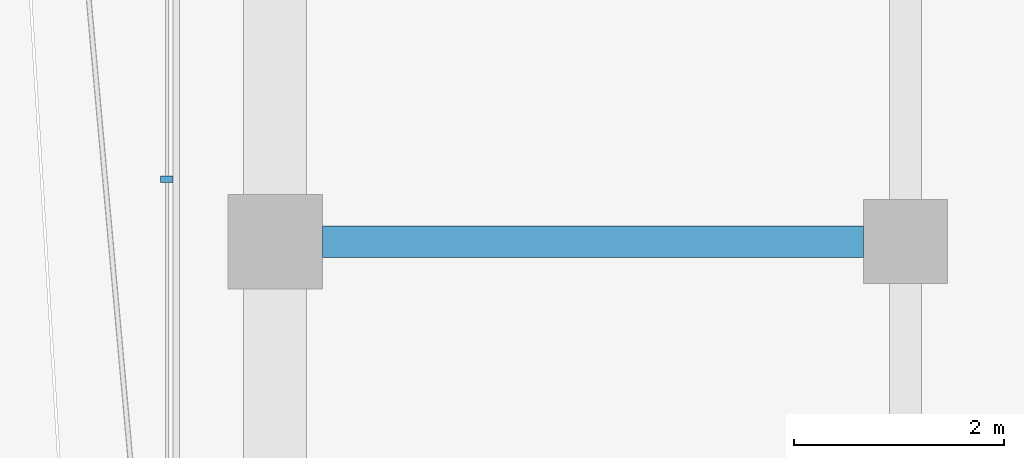
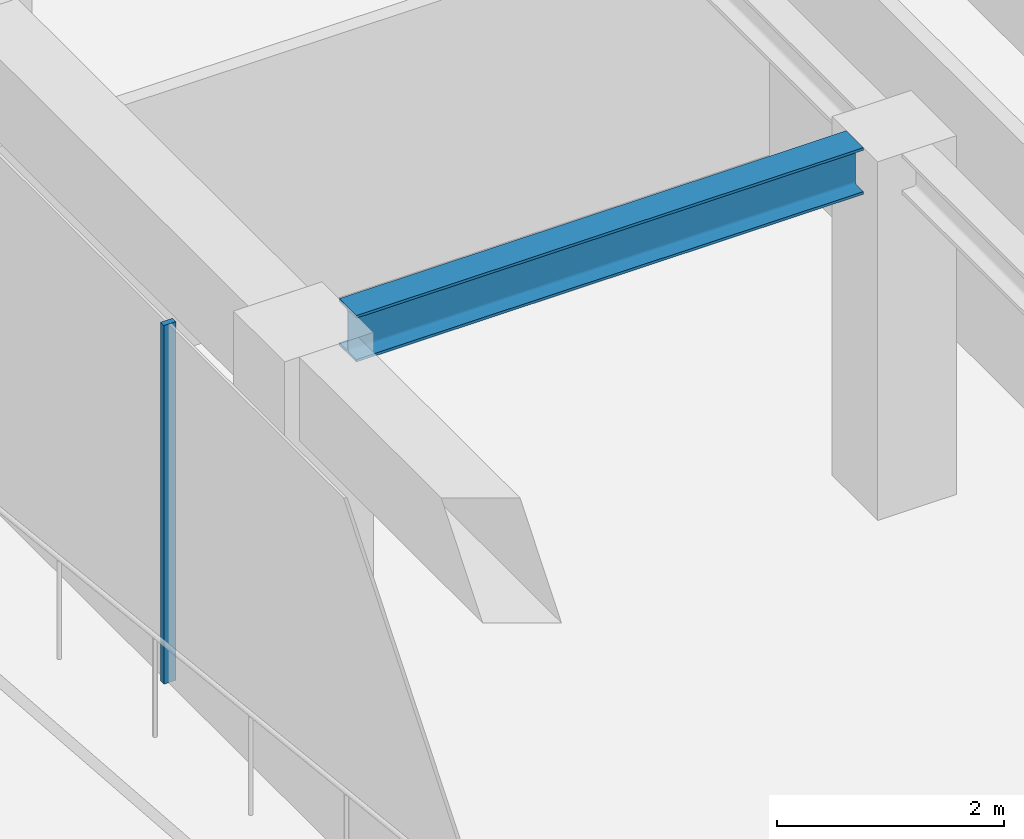
# One storey, part 12 of 23: 1 beam, 1 member, 1 element without a shape of its own.
"""IFC4 building model written with IfcOpenShell, lengths in metres."""

from ifc_helpers import new_model, si_unit, direction, frame, origin, origin_2d, place, context, subcontext, project, spatial, rectangle, i_section, extrude, material, layer, layer_set, material_profile, profile_set, type_object, element, aggregate, save


model = new_model("IFC4")

# Units and contexts
model_context = context("Model", 3, precision=1e-05, world=origin(), true_north=direction((0.0, 1.0)))
body_context = subcontext(model_context, "Body", "Model", "MODEL_VIEW")
ifc_project = project(units=[si_unit("LENGTHUNIT", "METRE"), si_unit("AREAUNIT", "SQUARE_METRE"), si_unit("VOLUMEUNIT", "CUBIC_METRE"), si_unit("PLANEANGLEUNIT", "RADIAN"), si_unit("MASSUNIT", "GRAM", prefix="KILO")], contexts=[model_context])

# Site, building, storey
site_placement = place(None, origin())
site = spatial("IfcSite", under=ifc_project, at=site_placement, CompositionType="ELEMENT")
building_placement = place(site_placement, origin())
building = spatial("IfcBuilding", under=site, at=building_placement, Name="Welwitschia Terrace Campus", CompositionType="ELEMENT")
storey_placement = place(building_placement, frame((0.0, 0.0, 96.199951171875)))
storey = spatial("IfcBuildingStorey", under=building, at=storey_placement, Name="L21", CompositionType="ELEMENT", Elevation=96.199951171875)

# Curtain wall, member
ifc_material_1 = material(Name="Bronze anodised aluminium", Category="aluminium")
ifc_layer = layer(ifc_material_1, 0.1201171875)
ifc_layer_set = layer_set([ifc_layer], Name="Bronze anodised aluminium")
curtain_wall_type = type_object("IfcCurtainWallType", Name="Curtain wall CW2 tower 6000", PredefinedType="NOTDEFINED", material=ifc_layer_set)
curtain_wall_placement = place(storey_placement, origin())
curtain_wall = element("IfcCurtainWall", 1, at=curtain_wall_placement, inside=storey, type_object=curtain_wall_type, Name="CW L21.10.0", PredefinedType="NOTDEFINED")
ifc_material_2 = material(Name="Bronze anodised aluminium", Category="aluminium")
ifc_material_profile_1 = material_profile(ifc_material_2, rectangle(XDim=0.1201171875, YDim=0.06005859375, at=origin_2d()))
ifc_profile_set_1 = profile_set([ifc_material_profile_1], Name="Bronze anodised aluminium")
member_type = type_object("IfcMemberType", Name="Mullion 60x120", PredefinedType="MULLION", material=ifc_profile_set_1)
member_placement = place(storey_placement, frame((-1.030029296875, 52.593017578125, 0.0), z_axis=(0.0, 0.0, 1.0), x_axis=(1.0, 0.0, 0.0)))
member = element("IfcMember", 2, at=member_placement, type_object=member_type, Name="Mullion L21.10.0.3", PredefinedType="MULLION", context=body_context, shape_type="SweptSolid", body=[
    extrude(rectangle(XDim=0.1201171875, YDim=0.06005859375, at=origin_2d()), origin(), (0.0, 0.0, 1.0), 3.85009765625),
])
aggregate(curtain_wall, [member])

# Beam
ifc_material_3 = material(Name="Steel S355", Category="steel")
ifc_material_profile_2 = material_profile(ifc_material_3, i_section(OverallWidth=0.300048828125, OverallDepth=0.5, WebThickness=0.014404296875, FlangeThickness=0.028076171875, FilletRadius=0.027099609375, at=origin_2d()))
ifc_profile_set_2 = profile_set([ifc_material_profile_2], Name="Steel S355")
beam_type = type_object("IfcBeamType", Name="Primary beam HE 500 B", PredefinedType="BEAM", material=ifc_profile_set_2)
beam_placement = place(storey_placement, frame((0.450439453125, 52.0, 3.60009765625), z_axis=(1.0, 0.0, 0.0), x_axis=(0.0, 1.0, 0.0)))
element("IfcBeam", 3, at=beam_placement, inside=storey, type_object=beam_type, Name="Primary beam PB3", PredefinedType="BEAM", context=body_context, shape_type="SweptSolid", body=[
    extrude(i_section(OverallWidth=0.300048828125, OverallDepth=0.5, WebThickness=0.014404296875, FlangeThickness=0.028076171875, FilletRadius=0.027099609375, at=origin_2d()), origin(), (0.0, 0.0, 1.0), 5.149169921875),
])

save(model, "model.ifc")
